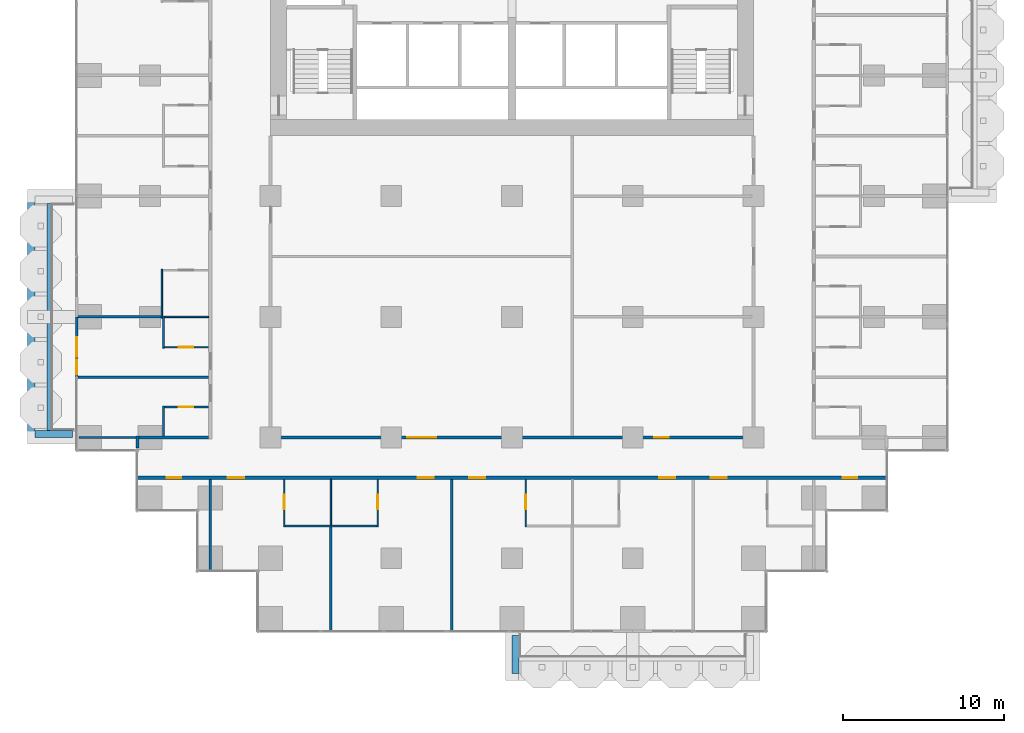
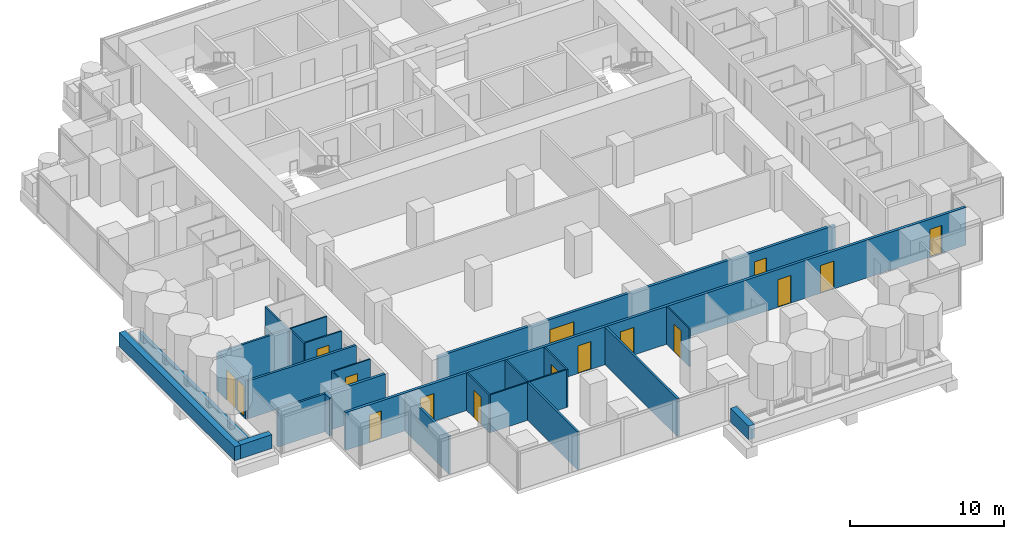
# One storey, part 11 of 19: 26 walls, 15 doors, 1 window, 16 openings.
"""IFC4 building model written with IfcOpenShell, lengths in metres."""

from ifc_helpers import new_model, si_unit, direction, frame, frame_2d, origin, place, context, subcontext, project, spatial, rectangle, extrude, material, layer, layer_set, type_object, element, fill, save


model = new_model("IFC4")

# Units and contexts
model_context = context("Model", 3, precision=1e-05, world=origin(), true_north=direction((0.0, 1.0)))
body_context = subcontext(model_context, "Body", "Model", "MODEL_VIEW")
ifc_project = project(units=[si_unit("LENGTHUNIT", "METRE"), si_unit("AREAUNIT", "SQUARE_METRE"), si_unit("VOLUMEUNIT", "CUBIC_METRE"), si_unit("PLANEANGLEUNIT", "RADIAN"), si_unit("MASSUNIT", "GRAM", prefix="KILO")], contexts=[model_context])

# Site, building, storey
site_placement = place(None, origin())
site = spatial("IfcSite", under=ifc_project, at=site_placement, CompositionType="ELEMENT")
building_placement = place(site_placement, origin())
building = spatial("IfcBuilding", under=site, at=building_placement, Name="Pilkhan Gate Tower", CompositionType="ELEMENT")
storey_placement = place(building_placement, frame((0.0, 0.0, 59.300048828125)))
storey = spatial("IfcBuildingStorey", under=building, at=storey_placement, Name="L12", CompositionType="ELEMENT", Elevation=59.300048828125)

# Walls
ifc_material_1 = material(Name="Dense blockwork", Category="masonry")
ifc_layer_1 = layer(ifc_material_1, 0.175048828125)
ifc_layer_set_1 = layer_set([ifc_layer_1], Name="Acoustic party wall PW175")
wall_type_1 = type_object("IfcWallType", Name="Acoustic party wall PW175", PredefinedType="PARTITIONING", material=ifc_layer_set_1)
wall_1_placement = place(storey_placement, frame((48.0400390625, 56.25, 0.0), z_axis=(0.0, 0.0, 1.0), x_axis=(1.0, 0.0, 0.0)))
element("IfcWall", 1, at=wall_1_placement, inside=storey, type_object=wall_type_1, Name="Partition L12", PredefinedType="PARTITIONING", context=body_context, shape_type="SweptSolid", body=[
    extrude(rectangle(XDim=8.10986328125, YDim=0.175048828125, at=frame_2d((4.054931640625, 0.0))), origin(), (0.0, 0.0, 1.0), 3.0),
])
ifc_material_2 = material(Name="Concrete C40/50", Category="concrete")
ifc_layer_2 = layer(ifc_material_2, 0.25)
ifc_layer_set_2 = layer_set([ifc_layer_2], Name="Balcony planter BP250")
wall_type_2 = type_object("IfcWallType", Name="Balcony planter BP250", PredefinedType="USERDEFINED", material=ifc_layer_set_2)
wall_2_placement = place(storey_placement, frame((46.22509765625, 52.949951171875, 0.0), z_axis=(0.0, 0.0, 1.0), x_axis=(0.0, 1.0, 0.0)))
element("IfcWall", 2, at=wall_2_placement, inside=storey, type_object=wall_type_2, Name="Balcony planter L12 W", ObjectType="BALCONY PLANTER", PredefinedType="USERDEFINED", context=body_context, shape_type="SweptSolid", body=[
    extrude(rectangle(XDim=14.10009765625, YDim=0.25, at=frame_2d((7.050048828125, 0.0))), origin(), (0.0, 0.0, 1.0), 1.0),
])
ifc_material_3 = material(Name="Board-marked Concrete C40/50", Category="concrete")
ifc_layer_3 = layer(ifc_material_3, 0.449951171875)
ifc_layer_set_3 = layer_set([ifc_layer_3], Name="Balcony planter lip BL450")
wall_type_3 = type_object("IfcWallType", Name="Balcony planter lip BL450", PredefinedType="USERDEFINED", material=ifc_layer_set_3)
wall_3_placement = place(storey_placement, frame((75.22509765625, 40.199951171875, 0.0), z_axis=(0.0, 0.0, 1.0), x_axis=(0.0, -1.0, 0.0)))
element("IfcWall", 3, at=wall_3_placement, inside=storey, type_object=wall_type_3, Name="Balcony planter L12 S", ObjectType="BALCONY PLANTER", PredefinedType="USERDEFINED", context=body_context, shape_type="SweptSolid", body=[
    extrude(rectangle(XDim=2.349853515625, YDim=0.449951171875, at=frame_2d((1.1748046875, 0.0))), origin(), (0.0, 0.0, 1.0), 1.099853515625),
])
wall_4_placement = place(storey_placement, frame((45.125, 52.5, 0.0), z_axis=(0.0, 0.0, 1.0), x_axis=(0.0, 1.0, 0.0)))
element("IfcWall", 4, at=wall_4_placement, inside=storey, type_object=wall_type_3, Name="Balcony planter L12 W", ObjectType="BALCONY PLANTER", PredefinedType="USERDEFINED", context=body_context, shape_type="SweptSolid", body=[
    extrude(rectangle(XDim=15.0, YDim=0.449951171875, at=frame_2d((7.5, 0.0))), origin(), (0.0, 0.0, 1.0), 1.099853515625),
])
wall_5_placement = place(storey_placement, frame((47.699951171875, 52.72509765625, 0.0), z_axis=(0.0, 0.0, 1.0), x_axis=(-1.0, 0.0, 0.0)))
element("IfcWall", 5, at=wall_5_placement, inside=storey, type_object=wall_type_3, Name="Balcony planter L12 W", ObjectType="BALCONY PLANTER", PredefinedType="USERDEFINED", context=body_context, shape_type="SweptSolid", body=[
    extrude(rectangle(XDim=2.349853515625, YDim=0.449951171875, at=frame_2d((1.1748046875, 0.0))), origin(), (0.0, 0.0, 1.0), 1.099853515625),
])

# Wall, openings, doors
ifc_layer_4 = layer(ifc_material_1, 0.199951171875)
ifc_layer_set_4 = layer_set([ifc_layer_4], Name="Corridor wall FW200")
wall_type_4 = type_object("IfcWallType", Name="Corridor wall FW200", PredefinedType="PARTITIONING", material=ifc_layer_set_4)
wall_6_placement = place(storey_placement, frame((51.735107421875, 50.0, 0.0), z_axis=(0.0, 0.0, 1.0), x_axis=(1.0, 0.0, 0.0)))
wall_6 = element("IfcWall", 6, at=wall_6_placement, inside=storey, type_object=wall_type_4, Name="Partition L12", PredefinedType="PARTITIONING", context=body_context, shape_type="SweptSolid", body=[
    extrude(rectangle(XDim=46.52978515625, YDim=0.199951171875, at=frame_2d((23.264892578125, 0.0))), origin(), (0.0, 0.0, 1.0), 3.0),
])
opening_1_placement = place(wall_6_placement, frame((5.614990234375, 0.0, 0.0)))
opening_1 = element("IfcOpeningElement", 7, at=opening_1_placement, cuts=wall_6, Name="Opening L12-06", PredefinedType="OPENING", context=body_context, shape_type="SweptSolid", body=[
    extrude(rectangle(XDim=1.0, YDim=2.199951171875, at=frame_2d((0.5, 1.10009765625))), frame((0.0, 0.10986328125, 0.0), z_axis=(0.0, -1.0, 0.0), x_axis=(1.0, 0.0, 0.0)), (0.0, 0.0, 1.0), 0.219970703125),
])
opening_2_placement = place(wall_6_placement, frame((17.4150390625, 0.0, 0.0)))
opening_2 = element("IfcOpeningElement", 8, at=opening_2_placement, cuts=wall_6, Name="Opening L12-08", PredefinedType="OPENING", context=body_context, shape_type="SweptSolid", body=[
    extrude(rectangle(XDim=1.0, YDim=2.199951171875, at=frame_2d((0.5, 1.10009765625))), frame((0.0, 0.10986328125, 0.0), z_axis=(0.0, -1.0, 0.0), x_axis=(1.0, 0.0, 0.0)), (0.0, 0.0, 1.0), 0.219970703125),
])
opening_3_placement = place(wall_6_placement, frame((20.614990234375, 0.0, 0.0)))
opening_3 = element("IfcOpeningElement", 9, at=opening_3_placement, cuts=wall_6, Name="Opening L12-10", PredefinedType="OPENING", context=body_context, shape_type="SweptSolid", body=[
    extrude(rectangle(XDim=1.0, YDim=2.199951171875, at=frame_2d((0.5, 1.10009765625))), frame((0.0, 0.10986328125, 0.0), z_axis=(0.0, -1.0, 0.0), x_axis=(1.0, 0.0, 0.0)), (0.0, 0.0, 1.0), 0.219970703125),
])
opening_4_placement = place(wall_6_placement, frame((32.4150390625, 0.0, 0.0)))
opening_4 = element("IfcOpeningElement", 10, at=opening_4_placement, cuts=wall_6, Name="Opening L12-12", PredefinedType="OPENING", context=body_context, shape_type="SweptSolid", body=[
    extrude(rectangle(XDim=1.0, YDim=2.199951171875, at=frame_2d((0.5, 1.10009765625))), frame((0.0, 0.10986328125, 0.0), z_axis=(0.0, -1.0, 0.0), x_axis=(1.0, 0.0, 0.0)), (0.0, 0.0, 1.0), 0.219970703125),
])
opening_5_placement = place(wall_6_placement, frame((35.614990234375, 0.0, 0.0)))
opening_5 = element("IfcOpeningElement", 11, at=opening_5_placement, cuts=wall_6, Name="Opening L12-14", PredefinedType="OPENING", context=body_context, shape_type="SweptSolid", body=[
    extrude(rectangle(XDim=1.0, YDim=2.199951171875, at=frame_2d((0.5, 1.10009765625))), frame((0.0, 0.10986328125, 0.0), z_axis=(0.0, -1.0, 0.0), x_axis=(1.0, 0.0, 0.0)), (0.0, 0.0, 1.0), 0.219970703125),
])
opening_6_placement = place(wall_6_placement, frame((1.800048828125, 0.0, 0.0)))
opening_6 = element("IfcOpeningElement", 12, at=opening_6_placement, cuts=wall_6, Name="Opening L12-49", PredefinedType="OPENING", context=body_context, shape_type="SweptSolid", body=[
    extrude(rectangle(XDim=0.89990234375, YDim=2.199951171875, at=frame_2d((0.449951171875, 1.10009765625))), frame((0.0, 0.10986328125, 0.0), z_axis=(0.0, -1.0, 0.0), x_axis=(1.0, 0.0, 0.0)), (0.0, 0.0, 1.0), 0.219970703125),
])
opening_7_placement = place(wall_6_placement, frame((43.81494140625, 0.0, 0.0)))
opening_7 = element("IfcOpeningElement", 13, at=opening_7_placement, cuts=wall_6, Name="Opening L12-50", PredefinedType="OPENING", context=body_context, shape_type="SweptSolid", body=[
    extrude(rectangle(XDim=0.89990234375, YDim=2.199951171875, at=frame_2d((0.449951171875, 1.10009765625))), frame((0.0, 0.10986328125, 0.0), z_axis=(0.0, -1.0, 0.0), x_axis=(1.0, 0.0, 0.0)), (0.0, 0.0, 1.0), 0.219970703125),
])
ifc_material_4 = material(Name="Timber flush door, 30 minute fire resisting", Category="wood")
door_type_1 = type_object("IfcDoorType", Name="Guest room door D01 1000x2200", OperationType="SINGLE_SWING_LEFT", PredefinedType="DOOR", material=ifc_material_4)
door_1_placement = place(opening_1_placement, origin())
door_1 = element("IfcDoor", 14, at=door_1_placement, inside=storey, type_object=door_type_1, Name="Guest room door", OperationType="SINGLE_SWING_LEFT", OverallHeight=2.199951171875, OverallWidth=1.0, PredefinedType="DOOR", context=body_context, shape_type="SweptSolid", body=[
    extrude(rectangle(XDim=1.0, YDim=2.199951171875, at=frame_2d((0.5, 1.10009765625))), frame((0.0, 0.02490234375, 0.0), z_axis=(0.0, -1.0, 0.0), x_axis=(1.0, 0.0, 0.0)), (0.0, 0.0, 1.0), 0.050048828125),
])
fill(opening_1, door_1)
door_2_placement = place(opening_2_placement, origin())
door_2 = element("IfcDoor", 15, at=door_2_placement, inside=storey, type_object=door_type_1, Name="Guest room door", OperationType="SINGLE_SWING_LEFT", OverallHeight=2.199951171875, OverallWidth=1.0, PredefinedType="DOOR", context=body_context, shape_type="SweptSolid", body=[
    extrude(rectangle(XDim=1.0, YDim=2.199951171875, at=frame_2d((0.5, 1.10009765625))), frame((0.0, 0.02490234375, 0.0), z_axis=(0.0, -1.0, 0.0), x_axis=(1.0, 0.0, 0.0)), (0.0, 0.0, 1.0), 0.050048828125),
])
fill(opening_2, door_2)
door_3_placement = place(opening_3_placement, origin())
door_3 = element("IfcDoor", 16, at=door_3_placement, inside=storey, type_object=door_type_1, Name="Guest room door", OperationType="SINGLE_SWING_LEFT", OverallHeight=2.199951171875, OverallWidth=1.0, PredefinedType="DOOR", context=body_context, shape_type="SweptSolid", body=[
    extrude(rectangle(XDim=1.0, YDim=2.199951171875, at=frame_2d((0.5, 1.10009765625))), frame((0.0, 0.02490234375, 0.0), z_axis=(0.0, -1.0, 0.0), x_axis=(1.0, 0.0, 0.0)), (0.0, 0.0, 1.0), 0.050048828125),
])
fill(opening_3, door_3)
door_4_placement = place(opening_4_placement, origin())
door_4 = element("IfcDoor", 17, at=door_4_placement, inside=storey, type_object=door_type_1, Name="Guest room door", OperationType="SINGLE_SWING_LEFT", OverallHeight=2.199951171875, OverallWidth=1.0, PredefinedType="DOOR", context=body_context, shape_type="SweptSolid", body=[
    extrude(rectangle(XDim=1.0, YDim=2.199951171875, at=frame_2d((0.5, 1.10009765625))), frame((0.0, 0.02490234375, 0.0), z_axis=(0.0, -1.0, 0.0), x_axis=(1.0, 0.0, 0.0)), (0.0, 0.0, 1.0), 0.050048828125),
])
fill(opening_4, door_4)
door_5_placement = place(opening_5_placement, origin())
door_5 = element("IfcDoor", 18, at=door_5_placement, inside=storey, type_object=door_type_1, Name="Guest room door", OperationType="SINGLE_SWING_RIGHT", OverallHeight=2.199951171875, OverallWidth=1.0, PredefinedType="DOOR", context=body_context, shape_type="SweptSolid", body=[
    extrude(rectangle(XDim=1.0, YDim=2.199951171875, at=frame_2d((0.5, 1.10009765625))), frame((0.0, 0.02490234375, 0.0), z_axis=(0.0, -1.0, 0.0), x_axis=(1.0, 0.0, 0.0)), (0.0, 0.0, 1.0), 0.050048828125),
])
fill(opening_5, door_5)
ifc_material_5 = material(Name="Timber flush door, 60 minute fire resisting, self-closing", Category="wood")
door_type_2 = type_object("IfcDoorType", Name="Store door D05 900x2200", OperationType="SINGLE_SWING_LEFT", PredefinedType="DOOR", material=ifc_material_5)
door_6_placement = place(opening_6_placement, origin())
door_6 = element("IfcDoor", 19, at=door_6_placement, inside=storey, type_object=door_type_2, Name="Store door", OperationType="SINGLE_SWING_RIGHT", OverallHeight=2.199951171875, OverallWidth=0.89990234375, PredefinedType="DOOR", context=body_context, shape_type="SweptSolid", body=[
    extrude(rectangle(XDim=0.89990234375, YDim=2.199951171875, at=frame_2d((0.449951171875, 1.10009765625))), frame((0.0, 0.02490234375, 0.0), z_axis=(0.0, -1.0, 0.0), x_axis=(1.0, 0.0, 0.0)), (0.0, 0.0, 1.0), 0.050048828125),
])
fill(opening_6, door_6)
door_7_placement = place(opening_7_placement, origin())
door_7 = element("IfcDoor", 20, at=door_7_placement, inside=storey, type_object=door_type_2, Name="Store door", OperationType="SINGLE_SWING_LEFT", OverallHeight=2.199951171875, OverallWidth=0.89990234375, PredefinedType="DOOR", context=body_context, shape_type="SweptSolid", body=[
    extrude(rectangle(XDim=0.89990234375, YDim=2.199951171875, at=frame_2d((0.449951171875, 1.10009765625))), frame((0.0, 0.02490234375, 0.0), z_axis=(0.0, -1.0, 0.0), x_axis=(1.0, 0.0, 0.0)), (0.0, 0.0, 1.0), 0.050048828125),
])
fill(opening_7, door_7)

# Wall
wall_7_placement = place(storey_placement, frame((51.8349609375, 52.5, 0.0), z_axis=(0.0, 0.0, 1.0), x_axis=(1.0, 0.0, 0.0)))
element("IfcWall", 21, at=wall_7_placement, inside=storey, type_object=wall_type_4, Name="Partition L12", PredefinedType="PARTITIONING", context=body_context, shape_type="SweptSolid", body=[
    extrude(rectangle(XDim=4.31494140625, YDim=0.199951171875, at=frame_2d((2.157470703125, 0.0))), origin(), (0.0, 0.0, 1.0), 3.0),
])

# Wall, openings, doors
wall_8_placement = place(storey_placement, frame((60.10009765625, 52.5, 0.0), z_axis=(0.0, 0.0, 1.0), x_axis=(1.0, 0.0, 0.0)))
wall_8 = element("IfcWall", 22, at=wall_8_placement, inside=storey, type_object=wall_type_4, Name="Partition L12", PredefinedType="PARTITIONING", context=body_context, shape_type="SweptSolid", body=[
    extrude(rectangle(XDim=29.7998046875, YDim=0.199951171875, at=frame_2d((14.89990234375, 0.0))), origin(), (0.0, 0.0, 1.0), 3.0),
])
opening_8_placement = place(wall_8_placement, frame((8.39990234375, 0.0, 0.0)))
opening_8 = element("IfcOpeningElement", 23, at=opening_8_placement, cuts=wall_8, Name="Opening L12-54", PredefinedType="OPENING", context=body_context, shape_type="SweptSolid", body=[
    extrude(rectangle(XDim=1.800048828125, YDim=2.199951171875, at=frame_2d((0.89990234375, 1.10009765625))), frame((0.0, 0.10986328125, 0.0), z_axis=(0.0, -1.0, 0.0), x_axis=(1.0, 0.0, 0.0)), (0.0, 0.0, 1.0), 0.219970703125),
])
opening_9_placement = place(wall_8_placement, frame((23.75, 0.0, 0.0)))
opening_9 = element("IfcOpeningElement", 24, at=opening_9_placement, cuts=wall_8, Name="Opening L12-55", PredefinedType="OPENING", context=body_context, shape_type="SweptSolid", body=[
    extrude(rectangle(XDim=0.89990234375, YDim=2.199951171875, at=frame_2d((0.449951171875, 1.10009765625))), frame((0.0, 0.10986328125, 0.0), z_axis=(0.0, -1.0, 0.0), x_axis=(1.0, 0.0, 0.0)), (0.0, 0.0, 1.0), 0.219970703125),
])
ifc_material_6 = material(Name="Timber glazed double door, 30 minute fire resisting", Category="wood")
door_type_3 = type_object("IfcDoorType", Name="Double door D04 1800x2200", OperationType="DOUBLE_DOOR_SINGLE_SWING", PredefinedType="DOOR", material=ifc_material_6)
door_8_placement = place(opening_8_placement, origin())
door_8 = element("IfcDoor", 25, at=door_8_placement, inside=storey, type_object=door_type_3, Name="Double door", OperationType="DOUBLE_DOOR_SINGLE_SWING", OverallHeight=2.199951171875, OverallWidth=1.800048828125, PredefinedType="DOOR", context=body_context, shape_type="SweptSolid", body=[
    extrude(rectangle(XDim=1.800048828125, YDim=2.199951171875, at=frame_2d((0.89990234375, 1.10009765625))), frame((0.0, 0.02490234375, 0.0), z_axis=(0.0, -1.0, 0.0), x_axis=(1.0, 0.0, 0.0)), (0.0, 0.0, 1.0), 0.050048828125),
])
fill(opening_8, door_8)
door_9_placement = place(opening_9_placement, origin())
door_9 = element("IfcDoor", 26, at=door_9_placement, inside=storey, type_object=door_type_2, Name="Store door", OperationType="SINGLE_SWING_RIGHT", OverallHeight=2.199951171875, OverallWidth=0.89990234375, PredefinedType="DOOR", context=body_context, shape_type="SweptSolid", body=[
    extrude(rectangle(XDim=0.89990234375, YDim=2.199951171875, at=frame_2d((0.449951171875, 1.10009765625))), frame((0.0, 0.02490234375, 0.0), z_axis=(0.0, -1.0, 0.0), x_axis=(1.0, 0.0, 0.0)), (0.0, 0.0, 1.0), 0.050048828125),
])
fill(opening_9, door_9)

# Wall
wall_9_placement = place(storey_placement, frame((51.735107421875, 51.85498046875, 0.0), z_axis=(0.0, 0.0, 1.0), x_axis=(0.0, 1.0, 0.0)))
element("IfcWall", 27, at=wall_9_placement, inside=storey, type_object=wall_type_4, Name="Partition L12", PredefinedType="PARTITIONING", context=body_context, shape_type="SweptSolid", body=[
    extrude(rectangle(XDim=0.7451171875, YDim=0.199951171875, at=frame_2d((0.37255859375, 0.0))), origin(), (0.0, 0.0, 1.0), 3.0),
])

# Wall, openings, door, window
ifc_material_7 = material(Name="Pale anodised aluminium, clear laminated glazing", Category="aluminium")
ifc_layer_5 = layer(ifc_material_7, 0.14990234375)
ifc_layer_set_5 = layer_set([ifc_layer_5], Name="Facade infill wall IW150")
wall_type_5 = type_object("IfcWallType", Name="Facade infill wall IW150", PredefinedType="SOLIDWALL", material=ifc_layer_set_5)
wall_10_placement = place(storey_placement, frame((47.955078125, 56.25, 0.0), z_axis=(0.0, 0.0, 1.0), x_axis=(0.0, 1.0, 0.0)))
wall_10 = element("IfcWall", 28, at=wall_10_placement, inside=storey, type_object=wall_type_5, Name="Infill wall L12 W", PredefinedType="SOLIDWALL", context=body_context, shape_type="SweptSolid", body=[
    extrude(rectangle(XDim=3.75, YDim=0.14990234375, at=frame_2d((1.875, 0.0))), origin(), (0.0, 0.0, 1.0), 3.0),
])
opening_10_placement = place(wall_10_placement, frame((0.1875, 0.0, 0.10009765625)))
opening_10 = element("IfcOpeningElement", 29, at=opening_10_placement, cuts=wall_10, Name="Opening W1", PredefinedType="OPENING", context=body_context, shape_type="SweptSolid", body=[
    extrude(rectangle(XDim=0.89990234375, YDim=2.39990234375, at=frame_2d((0.449951171875, 1.199951171875))), frame((0.0, 0.0849609375, 0.0), z_axis=(0.0, -1.0, 0.0), x_axis=(1.0, 0.0, 0.0)), (0.0, 0.0, 1.0), 0.169921875),
])
opening_11_placement = place(wall_10_placement, frame((1.27490234375, 0.0, 0.0)))
opening_11 = element("IfcOpeningElement", 30, at=opening_11_placement, cuts=wall_10, Name="Opening D1", PredefinedType="OPENING", context=body_context, shape_type="SweptSolid", body=[
    extrude(rectangle(XDim=1.199951171875, YDim=2.39990234375, at=frame_2d((0.60009765625, 1.199951171875))), frame((0.0, 0.0849609375, 0.0), z_axis=(0.0, -1.0, 0.0), x_axis=(1.0, 0.0, 0.0)), (0.0, 0.0, 1.0), 0.169921875),
])
ifc_material_8 = material(Name="Pale anodised aluminium, clear glazing", Category="aluminium")
door_type_4 = type_object("IfcDoorType", Name="Balcony door D1 1200x2400", OperationType="SINGLE_SWING_LEFT", PredefinedType="DOOR", material=ifc_material_8)
door_10_placement = place(opening_11_placement, origin())
door_10 = element("IfcDoor", 31, at=door_10_placement, inside=storey, type_object=door_type_4, Name="Balcony door L12", OperationType="SINGLE_SWING_LEFT", OverallHeight=2.39990234375, OverallWidth=1.199951171875, PredefinedType="DOOR", context=body_context, shape_type="SweptSolid", body=[
    extrude(rectangle(XDim=1.199951171875, YDim=2.39990234375, at=frame_2d((0.60009765625, 1.199951171875))), frame((0.0, 0.02490234375, 0.0), z_axis=(0.0, -1.0, 0.0), x_axis=(1.0, 0.0, 0.0)), (0.0, 0.0, 1.0), 0.050048828125),
])
fill(opening_11, door_10)
ifc_material_9 = material(Name="Pale anodised aluminium, clear double glazing", Category="aluminium")
window_type = type_object("IfcWindowType", Name="Window W1 900x2400", PartitioningType="SINGLE_PANEL", PredefinedType="WINDOW", material=ifc_material_9)
window_placement = place(opening_10_placement, origin())
window = element("IfcWindow", 32, at=window_placement, inside=storey, type_object=window_type, Name="Window L12", OverallHeight=2.39990234375, OverallWidth=0.89990234375, PartitioningType="SINGLE_PANEL", PredefinedType="WINDOW", context=body_context, shape_type="SweptSolid", body=[
    extrude(rectangle(XDim=0.89990234375, YDim=2.39990234375, at=frame_2d((0.449951171875, 1.199951171875))), frame((0.0, 0.030029296875, 0.0), z_axis=(0.0, -1.0, 0.0), x_axis=(1.0, 0.0, 0.0)), (0.0, 0.0, 1.0), 0.06005859375),
])
fill(opening_10, window)

# Walls
ifc_material_10 = material(Name="Blockwork partition, plastered both sides", Category="masonry")
ifc_layer_6 = layer(ifc_material_10, 0.14990234375)
ifc_layer_set_6 = layer_set([ifc_layer_6], Name="Partition PW150")
wall_type_6 = type_object("IfcWallType", Name="Partition PW150", PredefinedType="PARTITIONING", material=ifc_layer_set_6)
wall_11_placement = place(storey_placement, frame((48.10498046875, 52.5, 0.0), z_axis=(0.0, 0.0, 1.0), x_axis=(1.0, 0.0, 0.0)))
element("IfcWall", 33, at=wall_11_placement, inside=storey, type_object=wall_type_6, Name="Partition L12", PredefinedType="PARTITIONING", context=body_context, shape_type="SweptSolid", body=[
    extrude(rectangle(XDim=3.530029296875, YDim=0.14990234375, at=frame_2d((1.76513671875, 0.0))), origin(), (0.0, 0.0, 1.0), 3.0),
])
wall_12_placement = place(storey_placement, frame((48.0400390625, 60.0, 0.0), z_axis=(0.0, 0.0, 1.0), x_axis=(1.0, 0.0, 0.0)))
element("IfcWall", 34, at=wall_12_placement, inside=storey, type_object=wall_type_6, Name="Partition L12", PredefinedType="PARTITIONING", context=body_context, shape_type="SweptSolid", body=[
    extrude(rectangle(XDim=5.159912109375, YDim=0.14990234375, at=frame_2d((2.580078125, 0.0))), origin(), (0.0, 0.0, 1.0), 3.0),
])
wall_13_placement = place(storey_placement, frame((56.25, 44.235107421875, 0.0), z_axis=(0.0, 0.0, 1.0), x_axis=(0.0, 1.0, 0.0)))
element("IfcWall", 35, at=wall_13_placement, inside=storey, type_object=wall_type_6, Name="Partition L12", PredefinedType="PARTITIONING", context=body_context, shape_type="SweptSolid", body=[
    extrude(rectangle(XDim=5.664794921875, YDim=0.14990234375, at=frame_2d((2.83251953125, 0.0))), origin(), (0.0, 0.0, 1.0), 3.0),
])
wall_14_placement = place(storey_placement, frame((63.75, 40.485107421875, 0.0), z_axis=(0.0, 0.0, 1.0), x_axis=(0.0, 1.0, 0.0)))
element("IfcWall", 36, at=wall_14_placement, inside=storey, type_object=wall_type_6, Name="Partition L12", PredefinedType="PARTITIONING", context=body_context, shape_type="SweptSolid", body=[
    extrude(rectangle(XDim=6.46484375, YDim=0.14990234375, at=frame_2d((3.232421875, 0.0))), origin(), (0.0, 0.0, 1.0), 3.0),
])
wall_15_placement = place(storey_placement, frame((71.25, 40.485107421875, 0.0), z_axis=(0.0, 0.0, 1.0), x_axis=(0.0, 1.0, 0.0)))
element("IfcWall", 37, at=wall_15_placement, inside=storey, type_object=wall_type_6, Name="Partition L12", PredefinedType="PARTITIONING", context=body_context, shape_type="SweptSolid", body=[
    extrude(rectangle(XDim=9.414794921875, YDim=0.14990234375, at=frame_2d((4.70751953125, 0.0))), origin(), (0.0, 0.0, 1.0), 3.0),
])
ifc_material_11 = material(Name="Moisture resistant board, tiled")
ifc_layer_7 = layer(ifc_material_11, 0.10009765625)
ifc_layer_set_7 = layer_set([ifc_layer_7], Name="Wet wall PW100")
wall_type_7 = type_object("IfcWallType", Name="Wet wall PW100", PredefinedType="PARTITIONING", material=ifc_layer_set_7)
wall_16_placement = place(storey_placement, frame((60.89990234375, 47.0, 0.0), z_axis=(0.0, 0.0, 1.0), x_axis=(1.0, 0.0, 0.0)))
element("IfcWall", 38, at=wall_16_placement, inside=storey, type_object=wall_type_7, Name="Partition L12", PredefinedType="PARTITIONING", context=body_context, shape_type="SweptSolid", body=[
    extrude(rectangle(XDim=5.7001953125, YDim=0.10009765625, at=frame_2d((2.85009765625, 0.0))), origin(), (0.0, 0.0, 1.0), 3.0),
])

# Wall, opening, door
wall_17_placement = place(storey_placement, frame((53.39990234375, 54.39990234375, 0.0), z_axis=(0.0, 0.0, 1.0), x_axis=(1.0, 0.0, 0.0)))
wall_17 = element("IfcWall", 39, at=wall_17_placement, inside=storey, type_object=wall_type_7, Name="Partition L12", PredefinedType="PARTITIONING", context=body_context, shape_type="SweptSolid", body=[
    extrude(rectangle(XDim=2.75, YDim=0.10009765625, at=frame_2d((1.375, 0.0))), origin(), (0.0, 0.0, 1.0), 3.0),
])
opening_12_placement = place(wall_17_placement, frame((0.89990234375, 0.0, 0.0)))
opening_12 = element("IfcOpeningElement", 40, at=opening_12_placement, cuts=wall_17, Name="Opening L12-17", PredefinedType="OPENING", context=body_context, shape_type="SweptSolid", body=[
    extrude(rectangle(XDim=0.89990234375, YDim=2.199951171875, at=frame_2d((0.449951171875, 1.10009765625))), frame((0.0, 0.06005859375, 0.0), z_axis=(0.0, -1.0, 0.0), x_axis=(1.0, 0.0, 0.0)), (0.0, 0.0, 1.0), 0.1201171875),
])
ifc_material_12 = material(Name="Timber flush door", Category="wood")
door_type_5 = type_object("IfcDoorType", Name="Bathroom door D02 900x2200", OperationType="SINGLE_SWING_RIGHT", PredefinedType="DOOR", material=ifc_material_12)
door_11_placement = place(opening_12_placement, origin())
door_11 = element("IfcDoor", 41, at=door_11_placement, inside=storey, type_object=door_type_5, Name="Bathroom door", OperationType="SINGLE_SWING_RIGHT", OverallHeight=2.199951171875, OverallWidth=0.89990234375, PredefinedType="DOOR", context=body_context, shape_type="SweptSolid", body=[
    extrude(rectangle(XDim=0.89990234375, YDim=2.199951171875, at=frame_2d((0.449951171875, 1.10009765625))), frame((0.0, 0.02490234375, 0.0), z_axis=(0.0, -1.0, 0.0), x_axis=(1.0, 0.0, 0.0)), (0.0, 0.0, 1.0), 0.050048828125),
])
fill(opening_12, door_11)

wall_18_placement = place(storey_placement, frame((53.39990234375, 58.10009765625, 0.0), z_axis=(0.0, 0.0, 1.0), x_axis=(1.0, 0.0, 0.0)))
wall_18 = element("IfcWall", 42, at=wall_18_placement, inside=storey, type_object=wall_type_7, Name="Partition L12", PredefinedType="PARTITIONING", context=body_context, shape_type="SweptSolid", body=[
    extrude(rectangle(XDim=2.75, YDim=0.10009765625, at=frame_2d((1.375, 0.0))), origin(), (0.0, 0.0, 1.0), 3.0),
])
opening_13_placement = place(wall_18_placement, frame((0.89990234375, 0.0, 0.0)))
opening_13 = element("IfcOpeningElement", 43, at=opening_13_placement, cuts=wall_18, Name="Opening L12-19", PredefinedType="OPENING", context=body_context, shape_type="SweptSolid", body=[
    extrude(rectangle(XDim=0.89990234375, YDim=2.199951171875, at=frame_2d((0.449951171875, 1.10009765625))), frame((0.0, 0.06005859375, 0.0), z_axis=(0.0, -1.0, 0.0), x_axis=(1.0, 0.0, 0.0)), (0.0, 0.0, 1.0), 0.1201171875),
])
door_12_placement = place(opening_13_placement, origin())
door_12 = element("IfcDoor", 44, at=door_12_placement, inside=storey, type_object=door_type_5, Name="Bathroom door", OperationType="SINGLE_SWING_RIGHT", OverallHeight=2.199951171875, OverallWidth=0.89990234375, PredefinedType="DOOR", context=body_context, shape_type="SweptSolid", body=[
    extrude(rectangle(XDim=0.89990234375, YDim=2.199951171875, at=frame_2d((0.449951171875, 1.10009765625))), frame((0.0, 0.02490234375, 0.0), z_axis=(0.0, -1.0, 0.0), x_axis=(1.0, 0.0, 0.0)), (0.0, 0.0, 1.0), 0.050048828125),
])
fill(opening_13, door_12)

# Walls
wall_19_placement = place(storey_placement, frame((53.39990234375, 60.0, 0.0), z_axis=(0.0, 0.0, 1.0), x_axis=(1.0, 0.0, 0.0)))
element("IfcWall", 45, at=wall_19_placement, inside=storey, type_object=wall_type_7, Name="Partition L12", PredefinedType="PARTITIONING", context=body_context, shape_type="SweptSolid", body=[
    extrude(rectangle(XDim=2.75, YDim=0.10009765625, at=frame_2d((1.375, 0.0))), origin(), (0.0, 0.0, 1.0), 3.0),
])
wall_20_placement = place(storey_placement, frame((53.25, 59.925048828125, 0.0), z_axis=(0.0, 0.0, 1.0), x_axis=(0.0, 1.0, 0.0)))
element("IfcWall", 46, at=wall_20_placement, inside=storey, type_object=wall_type_7, Name="Partition L12", PredefinedType="PARTITIONING", context=body_context, shape_type="SweptSolid", body=[
    extrude(rectangle(XDim=3.02490234375, YDim=0.10009765625, at=frame_2d((1.512451171875, 0.0))), origin(), (0.0, 0.0, 1.0), 3.0),
])
wall_21_placement = place(storey_placement, frame((53.35009765625, 52.60009765625, 0.0), z_axis=(0.0, 0.0, 1.0), x_axis=(0.0, 1.0, 0.0)))
element("IfcWall", 47, at=wall_21_placement, inside=storey, type_object=wall_type_7, Name="Partition L12", PredefinedType="PARTITIONING", context=body_context, shape_type="SweptSolid", body=[
    extrude(rectangle(XDim=1.849853515625, YDim=0.10009765625, at=frame_2d((0.9248046875, 0.0))), origin(), (0.0, 0.0, 1.0), 3.0),
])
wall_22_placement = place(storey_placement, frame((53.35009765625, 58.050048828125, 0.0), z_axis=(0.0, 0.0, 1.0), x_axis=(0.0, 1.0, 0.0)))
element("IfcWall", 48, at=wall_22_placement, inside=storey, type_object=wall_type_7, Name="Partition L12", PredefinedType="PARTITIONING", context=body_context, shape_type="SweptSolid", body=[
    extrude(rectangle(XDim=2.0, YDim=0.10009765625, at=frame_2d((1.0, 0.0))), origin(), (0.0, 0.0, 1.0), 3.0),
])

# Wall, opening, door
wall_23_placement = place(storey_placement, frame((60.85009765625, 46.949951171875, 0.0), z_axis=(0.0, 0.0, 1.0), x_axis=(0.0, 1.0, 0.0)))
wall_23 = element("IfcWall", 49, at=wall_23_placement, inside=storey, type_object=wall_type_7, Name="Partition L12", PredefinedType="PARTITIONING", context=body_context, shape_type="SweptSolid", body=[
    extrude(rectangle(XDim=2.949951171875, YDim=0.10009765625, at=frame_2d((1.47509765625, 0.0))), origin(), (0.0, 0.0, 1.0), 3.0),
])
opening_14_placement = place(wall_23_placement, frame((1.10009765625, 0.0, 0.0)))
opening_14 = element("IfcOpeningElement", 50, at=opening_14_placement, cuts=wall_23, Name="Opening L12-07", PredefinedType="OPENING", context=body_context, shape_type="SweptSolid", body=[
    extrude(rectangle(XDim=0.89990234375, YDim=2.199951171875, at=frame_2d((0.449951171875, 1.10009765625))), frame((0.0, 0.06005859375, 0.0), z_axis=(0.0, -1.0, 0.0), x_axis=(1.0, 0.0, 0.0)), (0.0, 0.0, 1.0), 0.1201171875),
])
door_13_placement = place(opening_14_placement, origin())
door_13 = element("IfcDoor", 51, at=door_13_placement, inside=storey, type_object=door_type_5, Name="Bathroom door", OperationType="SINGLE_SWING_RIGHT", OverallHeight=2.199951171875, OverallWidth=0.89990234375, PredefinedType="DOOR", context=body_context, shape_type="SweptSolid", body=[
    extrude(rectangle(XDim=0.89990234375, YDim=2.199951171875, at=frame_2d((0.449951171875, 1.10009765625))), frame((0.0, 0.02490234375, 0.0), z_axis=(0.0, -1.0, 0.0), x_axis=(1.0, 0.0, 0.0)), (0.0, 0.0, 1.0), 0.050048828125),
])
fill(opening_14, door_13)

# Wall
wall_24_placement = place(storey_placement, frame((63.75, 47.050048828125, 0.0), z_axis=(0.0, 0.0, 1.0), x_axis=(0.0, 1.0, 0.0)))
element("IfcWall", 52, at=wall_24_placement, inside=storey, type_object=wall_type_7, Name="Partition L12", PredefinedType="PARTITIONING", context=body_context, shape_type="SweptSolid", body=[
    extrude(rectangle(XDim=2.849853515625, YDim=0.10009765625, at=frame_2d((1.4248046875, 0.0))), origin(), (0.0, 0.0, 1.0), 3.0),
])

# Wall, opening, door
wall_25_placement = place(storey_placement, frame((66.64990234375, 46.949951171875, 0.0), z_axis=(0.0, 0.0, 1.0), x_axis=(0.0, 1.0, 0.0)))
wall_25 = element("IfcWall", 53, at=wall_25_placement, inside=storey, type_object=wall_type_7, Name="Partition L12", PredefinedType="PARTITIONING", context=body_context, shape_type="SweptSolid", body=[
    extrude(rectangle(XDim=2.949951171875, YDim=0.10009765625, at=frame_2d((1.47509765625, 0.0))), origin(), (0.0, 0.0, 1.0), 3.0),
])
opening_15_placement = place(wall_25_placement, frame((1.10009765625, 0.0, 0.0)))
opening_15 = element("IfcOpeningElement", 54, at=opening_15_placement, cuts=wall_25, Name="Opening L12-09", PredefinedType="OPENING", context=body_context, shape_type="SweptSolid", body=[
    extrude(rectangle(XDim=0.89990234375, YDim=2.199951171875, at=frame_2d((0.449951171875, 1.10009765625))), frame((0.0, 0.06005859375, 0.0), z_axis=(0.0, -1.0, 0.0), x_axis=(1.0, 0.0, 0.0)), (0.0, 0.0, 1.0), 0.1201171875),
])
door_14_placement = place(opening_15_placement, origin())
door_14 = element("IfcDoor", 55, at=door_14_placement, inside=storey, type_object=door_type_5, Name="Bathroom door", OperationType="SINGLE_SWING_RIGHT", OverallHeight=2.199951171875, OverallWidth=0.89990234375, PredefinedType="DOOR", context=body_context, shape_type="SweptSolid", body=[
    extrude(rectangle(XDim=0.89990234375, YDim=2.199951171875, at=frame_2d((0.449951171875, 1.10009765625))), frame((0.0, 0.02490234375, 0.0), z_axis=(0.0, -1.0, 0.0), x_axis=(1.0, 0.0, 0.0)), (0.0, 0.0, 1.0), 0.050048828125),
])
fill(opening_15, door_14)

wall_26_placement = place(storey_placement, frame((75.85009765625, 46.949951171875, 0.0), z_axis=(0.0, 0.0, 1.0), x_axis=(0.0, 1.0, 0.0)))
wall_26 = element("IfcWall", 56, at=wall_26_placement, inside=storey, type_object=wall_type_7, Name="Partition L12", PredefinedType="PARTITIONING", context=body_context, shape_type="SweptSolid", body=[
    extrude(rectangle(XDim=2.949951171875, YDim=0.10009765625, at=frame_2d((1.47509765625, 0.0))), origin(), (0.0, 0.0, 1.0), 3.0),
])
opening_16_placement = place(wall_26_placement, frame((1.10009765625, 0.0, 0.0)))
opening_16 = element("IfcOpeningElement", 57, at=opening_16_placement, cuts=wall_26, Name="Opening L12-11", PredefinedType="OPENING", context=body_context, shape_type="SweptSolid", body=[
    extrude(rectangle(XDim=0.89990234375, YDim=2.199951171875, at=frame_2d((0.449951171875, 1.10009765625))), frame((0.0, 0.06005859375, 0.0), z_axis=(0.0, -1.0, 0.0), x_axis=(1.0, 0.0, 0.0)), (0.0, 0.0, 1.0), 0.1201171875),
])
door_15_placement = place(opening_16_placement, origin())
door_15 = element("IfcDoor", 58, at=door_15_placement, inside=storey, type_object=door_type_5, Name="Bathroom door", OperationType="SINGLE_SWING_RIGHT", OverallHeight=2.199951171875, OverallWidth=0.89990234375, PredefinedType="DOOR", context=body_context, shape_type="SweptSolid", body=[
    extrude(rectangle(XDim=0.89990234375, YDim=2.199951171875, at=frame_2d((0.449951171875, 1.10009765625))), frame((0.0, 0.02490234375, 0.0), z_axis=(0.0, -1.0, 0.0), x_axis=(1.0, 0.0, 0.0)), (0.0, 0.0, 1.0), 0.050048828125),
])
fill(opening_16, door_15)

save(model, "model.ifc")
